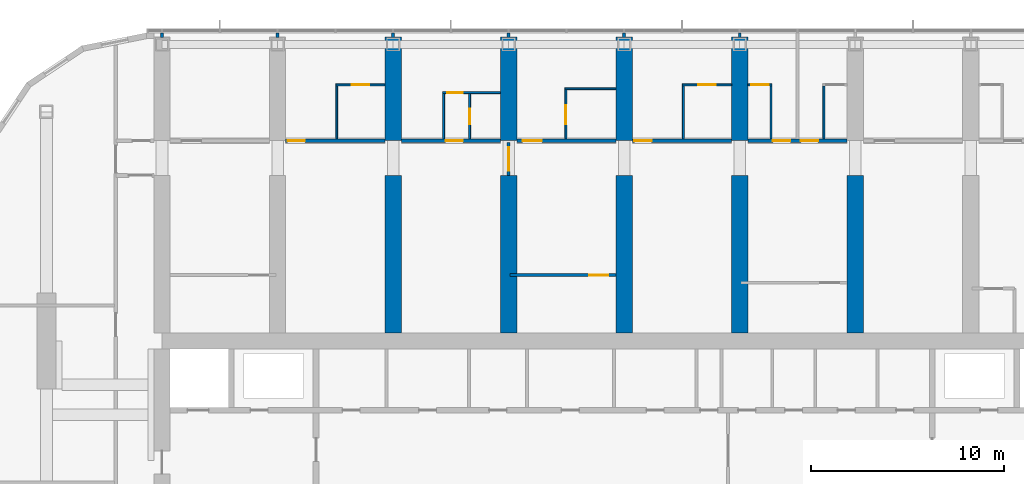
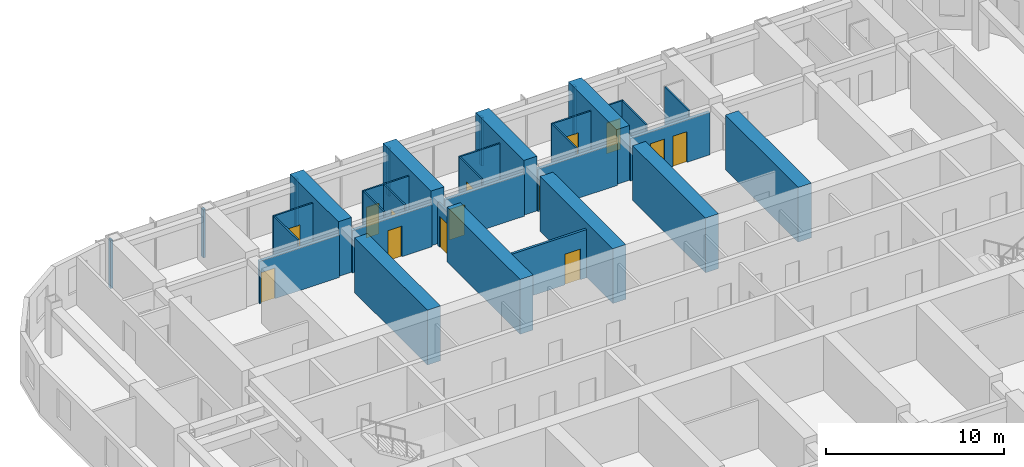
# One storey, part 16 of 23: 34 walls, 14 doors, 14 openings.
"""IFC4 building model written with IfcOpenShell, lengths in metres."""

from ifc_helpers import new_model, si_unit, direction, frame, frame_2d, origin, place, context, subcontext, project, spatial, polyline, rectangle, outline, extrude, material, layer, layer_set, type_object, element, fill, save


model = new_model("IFC4")

# Units and contexts
model_context = context("Model", 3, precision=1e-05, world=origin(), true_north=direction((0.0, 1.0)))
body_context = subcontext(model_context, "Body", "Model", "MODEL_VIEW")
ifc_project = project(units=[si_unit("LENGTHUNIT", "METRE"), si_unit("AREAUNIT", "SQUARE_METRE"), si_unit("VOLUMEUNIT", "CUBIC_METRE"), si_unit("PLANEANGLEUNIT", "RADIAN"), si_unit("MASSUNIT", "GRAM", prefix="KILO")], contexts=[model_context])

# Site, building, storey
site_placement = place(None, origin())
site = spatial("IfcSite", under=ifc_project, at=site_placement, CompositionType="ELEMENT")
building_placement = place(site_placement, origin())
building = spatial("IfcBuilding", under=site, at=building_placement, Name="Orbita Commons", CompositionType="ELEMENT")
storey_placement = place(building_placement, frame((0.0, 0.0, 174.85009765625)))
storey = spatial("IfcBuildingStorey", under=building, at=storey_placement, Name="L43", CompositionType="ELEMENT", Elevation=174.85009765625)

# Wall, opening, door
ifc_material_1 = material(Name="Concrete blockwork", Category="masonry")
ifc_layer_1 = layer(ifc_material_1, 0.199951171875)
ifc_layer_set_1 = layer_set([ifc_layer_1], Name="Concrete blockwork")
wall_type_1 = type_object("IfcWallType", Name="Corridor wall 200 blockwork", PredefinedType="SOLIDWALL", material=ifc_layer_set_1)
wall_1_placement = place(storey_placement, frame((24.425048828125, 48.60009765625, 0.0), z_axis=(0.0, 0.0, 1.0), x_axis=(1.0, 0.0, 0.0)))
wall_1 = element("IfcWall", 1, at=wall_1_placement, inside=storey, type_object=wall_type_1, Name="Corridor wall 200 blockwork L43", PredefinedType="SOLIDWALL", context=body_context, shape_type="SweptSolid", body=[
    extrude(outline(polyline([(0.0, 0.0), (5.14990234375, 0.0), (5.14990234375, 2.89990234375), (0.0, 2.89990234375), (0.0, 0.0)])), frame((0.0, 0.10009765625, 0.0), z_axis=(0.0, -1.0, 0.0), x_axis=(1.0, 0.0, 0.0)), (0.0, 0.0, 1.0), 0.199951171875),
])
opening_1_placement = place(wall_1_placement, frame((0.10009765625, 0.0, 0.0)))
opening_1 = element("IfcOpeningElement", 2, at=opening_1_placement, cuts=wall_1, Name="Opening D11", PredefinedType="OPENING", context=body_context, shape_type="SweptSolid", body=[
    extrude(rectangle(XDim=0.89990234375, YDim=2.10009765625, at=frame_2d((0.449951171875, 1.050048828125))), frame((0.0, 0.10986328125, 0.0), z_axis=(0.0, -1.0, 0.0), x_axis=(1.0, 0.0, 0.0)), (0.0, 0.0, 1.0), 0.219970703125),
])
ifc_material_2 = material(Name="Steel-faced fire door leaf", Category="steel")
door_type_1 = type_object("IfcDoorType", Name="Corridor door 20 min 900x2100", OperationType="SINGLE_SWING_LEFT", PredefinedType="DOOR", material=ifc_material_2)
door_1_placement = place(opening_1_placement, origin())
door_1 = element("IfcDoor", 3, at=door_1_placement, inside=storey, type_object=door_type_1, Name="Twin room L43-N02 door", OperationType="SINGLE_SWING_LEFT", OverallHeight=2.10009765625, OverallWidth=0.89990234375, PredefinedType="DOOR", context=body_context, shape_type="SweptSolid", body=[
    extrude(rectangle(XDim=0.89990234375, YDim=2.10009765625, at=frame_2d((0.449951171875, 1.050048828125))), frame((0.0, 0.02490234375, 0.0), z_axis=(0.0, -1.0, 0.0), x_axis=(1.0, 0.0, 0.0)), (0.0, 0.0, 1.0), 0.050048828125),
])
fill(opening_1, door_1)

wall_2_placement = place(storey_placement, frame((30.425048828125, 48.60009765625, 0.0), z_axis=(0.0, 0.0, 1.0), x_axis=(1.0, 0.0, 0.0)))
wall_2 = element("IfcWall", 4, at=wall_2_placement, inside=storey, type_object=wall_type_1, Name="Corridor wall 200 blockwork L43", PredefinedType="SOLIDWALL", context=body_context, shape_type="SweptSolid", body=[
    extrude(outline(polyline([(0.0, 0.0), (5.14990234375, 0.0), (5.14990234375, 2.89990234375), (0.0, 2.89990234375), (0.0, 0.0)])), frame((0.0, 0.10009765625, 0.0), z_axis=(0.0, -1.0, 0.0), x_axis=(1.0, 0.0, 0.0)), (0.0, 0.0, 1.0), 0.199951171875),
])
opening_2_placement = place(wall_2_placement, frame((2.300048828125, 0.0, 0.0)))
opening_2 = element("IfcOpeningElement", 5, at=opening_2_placement, cuts=wall_2, Name="Opening D11", PredefinedType="OPENING", context=body_context, shape_type="SweptSolid", body=[
    extrude(rectangle(XDim=0.89990234375, YDim=2.10009765625, at=frame_2d((0.449951171875, 1.050048828125))), frame((0.0, 0.10986328125, 0.0), z_axis=(0.0, -1.0, 0.0), x_axis=(1.0, 0.0, 0.0)), (0.0, 0.0, 1.0), 0.219970703125),
])
door_2_placement = place(opening_2_placement, origin())
door_2 = element("IfcDoor", 6, at=door_2_placement, inside=storey, type_object=door_type_1, Name="Studio flat L43-N04 entrance door", OperationType="SINGLE_SWING_LEFT", OverallHeight=2.10009765625, OverallWidth=0.89990234375, PredefinedType="DOOR", context=body_context, shape_type="SweptSolid", body=[
    extrude(rectangle(XDim=0.89990234375, YDim=2.10009765625, at=frame_2d((0.449951171875, 1.050048828125))), frame((0.0, 0.02490234375, 0.0), z_axis=(0.0, -1.0, 0.0), x_axis=(1.0, 0.0, 0.0)), (0.0, 0.0, 1.0), 0.050048828125),
])
fill(opening_2, door_2)

wall_3_placement = place(storey_placement, frame((36.425048828125, 48.60009765625, 0.0), z_axis=(0.0, 0.0, 1.0), x_axis=(1.0, 0.0, 0.0)))
wall_3 = element("IfcWall", 7, at=wall_3_placement, inside=storey, type_object=wall_type_1, Name="Corridor wall 200 blockwork L43", PredefinedType="SOLIDWALL", context=body_context, shape_type="SweptSolid", body=[
    extrude(outline(polyline([(0.0, 0.0), (5.14990234375, 0.0), (5.14990234375, 2.89990234375), (0.0, 2.89990234375), (0.0, 0.0)])), frame((0.0, 0.10009765625, 0.0), z_axis=(0.0, -1.0, 0.0), x_axis=(1.0, 0.0, 0.0)), (0.0, 0.0, 1.0), 0.199951171875),
])
opening_3_placement = place(wall_3_placement, frame((0.300048828125, 0.0, 0.0)))
opening_3 = element("IfcOpeningElement", 8, at=opening_3_placement, cuts=wall_3, Name="Opening D06", PredefinedType="OPENING", context=body_context, shape_type="SweptSolid", body=[
    extrude(rectangle(XDim=1.0, YDim=2.10009765625, at=frame_2d((0.5, 1.050048828125))), frame((0.0, 0.10986328125, 0.0), z_axis=(0.0, -1.0, 0.0), x_axis=(1.0, 0.0, 0.0)), (0.0, 0.0, 1.0), 0.219970703125),
])
ifc_material_3 = material(Name="Steel-faced fire door leaf", Category="steel")
door_type_2 = type_object("IfcDoorType", Name="Corridor door 20 min 1000x2100", OperationType="SINGLE_SWING_LEFT", PredefinedType="DOOR", material=ifc_material_3)
door_3_placement = place(opening_3_placement, origin())
door_3 = element("IfcDoor", 9, at=door_3_placement, inside=storey, type_object=door_type_2, Name="Accessible bedroom L43-N06 door", OperationType="SINGLE_SWING_LEFT", OverallHeight=2.10009765625, OverallWidth=1.0, PredefinedType="DOOR", context=body_context, shape_type="SweptSolid", body=[
    extrude(rectangle(XDim=1.0, YDim=2.10009765625, at=frame_2d((0.5, 1.050048828125))), frame((0.0, 0.02490234375, 0.0), z_axis=(0.0, -1.0, 0.0), x_axis=(1.0, 0.0, 0.0)), (0.0, 0.0, 1.0), 0.050048828125),
])
fill(opening_3, door_3)

wall_4_placement = place(storey_placement, frame((42.425048828125, 48.60009765625, 0.0), z_axis=(0.0, 0.0, 1.0), x_axis=(1.0, 0.0, 0.0)))
wall_4 = element("IfcWall", 10, at=wall_4_placement, inside=storey, type_object=wall_type_1, Name="Corridor wall 200 blockwork L43", PredefinedType="SOLIDWALL", context=body_context, shape_type="SweptSolid", body=[
    extrude(outline(polyline([(0.0, 0.0), (5.14990234375, 0.0), (5.14990234375, 2.89990234375), (0.0, 2.89990234375), (0.0, 0.0)])), frame((0.0, 0.10009765625, 0.0), z_axis=(0.0, -1.0, 0.0), x_axis=(1.0, 0.0, 0.0)), (0.0, 0.0, 1.0), 0.199951171875),
])
opening_4_placement = place(wall_4_placement, frame((0.10009765625, 0.0, 0.0)))
opening_4 = element("IfcOpeningElement", 11, at=opening_4_placement, cuts=wall_4, Name="Opening D11", PredefinedType="OPENING", context=body_context, shape_type="SweptSolid", body=[
    extrude(rectangle(XDim=0.89990234375, YDim=2.10009765625, at=frame_2d((0.449951171875, 1.050048828125))), frame((0.0, 0.10986328125, 0.0), z_axis=(0.0, -1.0, 0.0), x_axis=(1.0, 0.0, 0.0)), (0.0, 0.0, 1.0), 0.219970703125),
])
door_4_placement = place(opening_4_placement, origin())
door_4 = element("IfcDoor", 12, at=door_4_placement, inside=storey, type_object=door_type_1, Name="Twin room L43-N08 door", OperationType="SINGLE_SWING_LEFT", OverallHeight=2.10009765625, OverallWidth=0.89990234375, PredefinedType="DOOR", context=body_context, shape_type="SweptSolid", body=[
    extrude(rectangle(XDim=0.89990234375, YDim=2.10009765625, at=frame_2d((0.449951171875, 1.050048828125))), frame((0.0, 0.02490234375, 0.0), z_axis=(0.0, -1.0, 0.0), x_axis=(1.0, 0.0, 0.0)), (0.0, 0.0, 1.0), 0.050048828125),
])
fill(opening_4, door_4)

# Wall, openings, doors
wall_5_placement = place(storey_placement, frame((48.425048828125, 48.60009765625, 0.0), z_axis=(0.0, 0.0, 1.0), x_axis=(1.0, 0.0, 0.0)))
wall_5 = element("IfcWall", 13, at=wall_5_placement, inside=storey, type_object=wall_type_1, Name="Corridor wall 200 blockwork L43", PredefinedType="SOLIDWALL", context=body_context, shape_type="SweptSolid", body=[
    extrude(outline(polyline([(0.0, 0.0), (5.14990234375, 0.0), (5.14990234375, 2.89990234375), (0.0, 2.89990234375), (0.0, 0.0)])), frame((0.0, 0.10009765625, 0.0), z_axis=(0.0, -1.0, 0.0), x_axis=(1.0, 0.0, 0.0)), (0.0, 0.0, 1.0), 0.199951171875),
])
opening_5_placement = place(wall_5_placement, frame((1.300048828125, 0.0, 0.0)))
opening_5 = element("IfcOpeningElement", 14, at=opening_5_placement, cuts=wall_5, Name="Opening D11", PredefinedType="OPENING", context=body_context, shape_type="SweptSolid", body=[
    extrude(rectangle(XDim=0.89990234375, YDim=2.10009765625, at=frame_2d((0.449951171875, 1.050048828125))), frame((0.0, 0.10986328125, 0.0), z_axis=(0.0, -1.0, 0.0), x_axis=(1.0, 0.0, 0.0)), (0.0, 0.0, 1.0), 0.219970703125),
])
opening_6_placement = place(wall_5_placement, frame((2.75, 0.0, 0.0)))
opening_6 = element("IfcOpeningElement", 15, at=opening_6_placement, cuts=wall_5, Name="Opening D11", PredefinedType="OPENING", context=body_context, shape_type="SweptSolid", body=[
    extrude(rectangle(XDim=0.89990234375, YDim=2.10009765625, at=frame_2d((0.449951171875, 1.050048828125))), frame((0.0, 0.10986328125, 0.0), z_axis=(0.0, -1.0, 0.0), x_axis=(1.0, 0.0, 0.0)), (0.0, 0.0, 1.0), 0.219970703125),
])
door_5_placement = place(opening_5_placement, origin())
door_5 = element("IfcDoor", 16, at=door_5_placement, inside=storey, type_object=door_type_1, Name="Cluster bedroom L43-N10 door", OperationType="SINGLE_SWING_LEFT", OverallHeight=2.10009765625, OverallWidth=0.89990234375, PredefinedType="DOOR", context=body_context, shape_type="SweptSolid", body=[
    extrude(rectangle(XDim=0.89990234375, YDim=2.10009765625, at=frame_2d((0.449951171875, 1.050048828125))), frame((0.0, 0.02490234375, 0.0), z_axis=(0.0, -1.0, 0.0), x_axis=(1.0, 0.0, 0.0)), (0.0, 0.0, 1.0), 0.050048828125),
])
fill(opening_5, door_5)
door_6_placement = place(opening_6_placement, origin())
door_6 = element("IfcDoor", 17, at=door_6_placement, inside=storey, type_object=door_type_1, Name="Cluster bedroom L43-N11 door", OperationType="SINGLE_SWING_LEFT", OverallHeight=2.10009765625, OverallWidth=0.89990234375, PredefinedType="DOOR", context=body_context, shape_type="SweptSolid", body=[
    extrude(rectangle(XDim=0.89990234375, YDim=2.10009765625, at=frame_2d((0.449951171875, 1.050048828125))), frame((0.0, 0.02490234375, 0.0), z_axis=(0.0, -1.0, 0.0), x_axis=(1.0, 0.0, 0.0)), (0.0, 0.0, 1.0), 0.050048828125),
])
fill(opening_6, door_6)

# Walls
ifc_material_4 = material(Name="Concrete C50/60", Category="concrete")
ifc_layer_2 = layer(ifc_material_4, 0.85009765625)
ifc_layer_set_2 = layer_set([ifc_layer_2], Name="Concrete C50/60")
wall_type_2 = type_object("IfcWallType", Name="Cross wall 850 C50/60", PredefinedType="SHEAR", material=ifc_layer_set_2)
wall_6_placement = place(storey_placement, frame((30.0, 48.60009765625, 0.0), z_axis=(0.0, 0.0, 1.0), x_axis=(0.0, 1.0, 0.0)))
element("IfcWall", 18, at=wall_6_placement, inside=storey, type_object=wall_type_2, Name="Cross wall 6 north outer L43", PredefinedType="SHEAR", context=body_context, shape_type="SweptSolid", body=[
    extrude(rectangle(XDim=5.39990234375, YDim=0.85009765625, at=frame_2d((2.699951171875, 0.0))), origin(), (0.0, 0.0, 1.0), 3.75),
])
wall_7_placement = place(storey_placement, frame((30.0, 38.625, 0.0), z_axis=(0.0, 0.0, 1.0), x_axis=(0.0, 1.0, 0.0)))
element("IfcWall", 19, at=wall_7_placement, inside=storey, type_object=wall_type_2, Name="Cross wall 6 north inner L43", PredefinedType="SHEAR", context=body_context, shape_type="SweptSolid", body=[
    extrude(rectangle(XDim=8.175048828125, YDim=0.85009765625, at=frame_2d((4.08740234375, 0.0))), origin(), (0.0, 0.0, 1.0), 3.75),
])
wall_8_placement = place(storey_placement, frame((36.0, 48.60009765625, 0.0), z_axis=(0.0, 0.0, 1.0), x_axis=(0.0, 1.0, 0.0)))
element("IfcWall", 20, at=wall_8_placement, inside=storey, type_object=wall_type_2, Name="Cross wall 7 north outer L43", PredefinedType="SHEAR", context=body_context, shape_type="SweptSolid", body=[
    extrude(rectangle(XDim=5.39990234375, YDim=0.85009765625, at=frame_2d((2.699951171875, 0.0))), origin(), (0.0, 0.0, 1.0), 3.75),
])
wall_9_placement = place(storey_placement, frame((36.0, 38.625, 0.0), z_axis=(0.0, 0.0, 1.0), x_axis=(0.0, 1.0, 0.0)))
element("IfcWall", 21, at=wall_9_placement, inside=storey, type_object=wall_type_2, Name="Cross wall 7 north inner L43", PredefinedType="SHEAR", context=body_context, shape_type="SweptSolid", body=[
    extrude(rectangle(XDim=8.175048828125, YDim=0.85009765625, at=frame_2d((4.08740234375, 0.0))), origin(), (0.0, 0.0, 1.0), 3.75),
])
wall_10_placement = place(storey_placement, frame((42.0, 48.60009765625, 0.0), z_axis=(0.0, 0.0, 1.0), x_axis=(0.0, 1.0, 0.0)))
element("IfcWall", 22, at=wall_10_placement, inside=storey, type_object=wall_type_2, Name="Cross wall 8 north outer L43", PredefinedType="SHEAR", context=body_context, shape_type="SweptSolid", body=[
    extrude(rectangle(XDim=5.39990234375, YDim=0.85009765625, at=frame_2d((2.699951171875, 0.0))), origin(), (0.0, 0.0, 1.0), 3.75),
])
wall_11_placement = place(storey_placement, frame((42.0, 38.625, 0.0), z_axis=(0.0, 0.0, 1.0), x_axis=(0.0, 1.0, 0.0)))
element("IfcWall", 23, at=wall_11_placement, inside=storey, type_object=wall_type_2, Name="Cross wall 8 north inner L43", PredefinedType="SHEAR", context=body_context, shape_type="SweptSolid", body=[
    extrude(rectangle(XDim=8.175048828125, YDim=0.85009765625, at=frame_2d((4.08740234375, 0.0))), origin(), (0.0, 0.0, 1.0), 3.75),
])
wall_12_placement = place(storey_placement, frame((48.0, 48.60009765625, 0.0), z_axis=(0.0, 0.0, 1.0), x_axis=(0.0, 1.0, 0.0)))
element("IfcWall", 24, at=wall_12_placement, inside=storey, type_object=wall_type_2, Name="Cross wall 9 north outer L43", PredefinedType="SHEAR", context=body_context, shape_type="SweptSolid", body=[
    extrude(rectangle(XDim=5.39990234375, YDim=0.85009765625, at=frame_2d((2.699951171875, 0.0))), origin(), (0.0, 0.0, 1.0), 3.75),
])
for number, where, z_axis, x_axis, name in (
    (25, (48.0, 38.625, 0.0), (0.0, 0.0, 1.0), (0.0, 1.0, 0.0), "Cross wall 9 north inner L43"),
    (26, (54.0, 38.625, 0.0), (0.0, 0.0, 1.0), (0.0, 1.0, 0.0), "Cross wall 10 north inner L43"),
):
    element("IfcWall", number, at=place(storey_placement, frame(where, z_axis=z_axis, x_axis=x_axis)), inside=storey, type_object=wall_type_2, Name=name, PredefinedType="SHEAR", context=body_context, shape_type="SweptSolid", body=[
        extrude(rectangle(XDim=8.175048828125, YDim=0.85009765625, at=frame_2d((4.08740234375, 0.0))), origin(), (0.0, 0.0, 1.0), 3.75),
    ])

# Wall, opening, door
ifc_material_5 = material(Name="Moisture-resistant plasterboard on steel studs", Category="steel")
ifc_layer_3 = layer(ifc_material_5, 0.10009765625)
ifc_layer_set_3 = layer_set([ifc_layer_3], Name="Moisture-resistant plasterboard on steel studs")
wall_type_3 = type_object("IfcWallType", Name="En-suite partition 100", PredefinedType="PARTITIONING", material=ifc_layer_set_3)
wall_13_placement = place(storey_placement, frame((27.02490234375, 51.5, 0.0), z_axis=(0.0, 0.0, 1.0), x_axis=(1.0, 0.0, 0.0)))
wall_13 = element("IfcWall", 27, at=wall_13_placement, inside=storey, type_object=wall_type_3, Name="En-suite partition 100 L43", PredefinedType="PARTITIONING", context=body_context, shape_type="SweptSolid", body=[
    extrude(rectangle(XDim=2.550048828125, YDim=0.10009765625, at=frame_2d((1.27490234375, 0.0))), origin(), (0.0, 0.0, 1.0), 3.2998046875),
])
opening_7_placement = place(wall_13_placement, frame((0.824951171875, 0.0, 0.0)))
opening_7 = element("IfcOpeningElement", 28, at=opening_7_placement, cuts=wall_13, Name="Opening D09", PredefinedType="OPENING", context=body_context, shape_type="SweptSolid", body=[
    extrude(rectangle(XDim=0.89990234375, YDim=2.10009765625, at=frame_2d((0.449951171875, 1.050048828125))), frame((0.0, 0.06005859375, 0.0), z_axis=(0.0, -1.0, 0.0), x_axis=(1.0, 0.0, 0.0)), (0.0, 0.0, 1.0), 0.1201171875),
])
ifc_material_6 = material(Name="Laminated timber door leaf", Category="wood")
door_type_3 = type_object("IfcDoorType", Name="En-suite door 900x2100", OperationType="SINGLE_SWING_RIGHT", PredefinedType="DOOR", material=ifc_material_6)
door_7_placement = place(opening_7_placement, origin())
door_7 = element("IfcDoor", 29, at=door_7_placement, inside=storey, type_object=door_type_3, Name="En-suite L43-N02 door", OperationType="SINGLE_SWING_RIGHT", OverallHeight=2.10009765625, OverallWidth=0.89990234375, PredefinedType="DOOR", context=body_context, shape_type="SweptSolid", body=[
    extrude(rectangle(XDim=0.89990234375, YDim=2.10009765625, at=frame_2d((0.449951171875, 1.050048828125))), frame((0.0, 0.02490234375, 0.0), z_axis=(0.0, -1.0, 0.0), x_axis=(1.0, 0.0, 0.0)), (0.0, 0.0, 1.0), 0.050048828125),
])
fill(opening_7, door_7)

# Wall
wall_14_placement = place(storey_placement, frame((27.074951171875, 51.449951171875, 0.0), z_axis=(0.0, 0.0, 1.0), x_axis=(0.0, -1.0, 0.0)))
element("IfcWall", 30, at=wall_14_placement, inside=storey, type_object=wall_type_3, Name="En-suite partition 100 L43", PredefinedType="PARTITIONING", context=body_context, shape_type="SweptSolid", body=[
    extrude(outline(polyline([(0.0, 0.0), (2.75, 0.0), (2.75, 2.89990234375), (2.701904296875, 2.89990234375), (2.699951171875, 3.2998046875), (0.0, 3.2998046875), (0.0, 0.0)])), frame((0.0, 0.050048828125, 0.0), z_axis=(0.0, -1.0, 0.0), x_axis=(1.0, 0.0, 0.0)), (0.0, 0.0, 1.0), 0.10009765625),
])

# Wall, opening, door
wall_15_placement = place(storey_placement, frame((32.574951171875, 51.10009765625, 0.0), z_axis=(0.0, 0.0, 1.0), x_axis=(1.0, 0.0, 0.0)))
wall_15 = element("IfcWall", 31, at=wall_15_placement, inside=storey, type_object=wall_type_3, Name="En-suite partition 100 L43", PredefinedType="PARTITIONING", context=body_context, shape_type="SweptSolid", body=[
    extrude(rectangle(XDim=3.0, YDim=0.10009765625, at=frame_2d((1.5, 0.0))), origin(), (0.0, 0.0, 1.0), 3.2998046875),
])
opening_8_placement = place(wall_15_placement, frame((0.25, 0.0, 0.0)))
opening_8 = element("IfcOpeningElement", 32, at=opening_8_placement, cuts=wall_15, Name="Opening D16", PredefinedType="OPENING", context=body_context, shape_type="SweptSolid", body=[
    extrude(rectangle(XDim=0.800048828125, YDim=2.10009765625, at=frame_2d((0.39990234375, 1.050048828125))), frame((0.0, 0.06005859375, 0.0), z_axis=(0.0, -1.0, 0.0), x_axis=(1.0, 0.0, 0.0)), (0.0, 0.0, 1.0), 0.1201171875),
])
ifc_material_7 = material(Name="Laminated timber door leaf", Category="wood")
door_type_4 = type_object("IfcDoorType", Name="En-suite door 800x2100", OperationType="SINGLE_SWING_RIGHT", PredefinedType="DOOR", material=ifc_material_7)
door_8_placement = place(opening_8_placement, origin())
door_8 = element("IfcDoor", 33, at=door_8_placement, inside=storey, type_object=door_type_4, Name="Studio flat L43-N04 door", OperationType="SINGLE_SWING_RIGHT", OverallHeight=2.10009765625, OverallWidth=0.800048828125, PredefinedType="DOOR", context=body_context, shape_type="SweptSolid", body=[
    extrude(rectangle(XDim=0.800048828125, YDim=2.10009765625, at=frame_2d((0.39990234375, 1.050048828125))), frame((0.0, 0.02490234375, 0.0), z_axis=(0.0, -1.0, 0.0), x_axis=(1.0, 0.0, 0.0)), (0.0, 0.0, 1.0), 0.050048828125),
])
fill(opening_8, door_8)

# Wall
wall_16_placement = place(storey_placement, frame((32.625, 51.050048828125, 0.0), z_axis=(0.0, 0.0, 1.0), x_axis=(0.0, -1.0, 0.0)))
element("IfcWall", 34, at=wall_16_placement, inside=storey, type_object=wall_type_3, Name="En-suite partition 100 L43", PredefinedType="PARTITIONING", context=body_context, shape_type="SweptSolid", body=[
    extrude(outline(polyline([(0.0, 0.0), (2.35009765625, 0.0), (2.35009765625, 2.89990234375), (2.302001953125, 2.89990234375), (2.300048828125, 3.2998046875), (0.0, 3.2998046875), (0.0, 0.0)])), frame((0.0, 0.050048828125, 0.0), z_axis=(0.0, -1.0, 0.0), x_axis=(1.0, 0.0, 0.0)), (0.0, 0.0, 1.0), 0.10009765625),
])

# Wall, opening, door
wall_17_placement = place(storey_placement, frame((33.97509765625, 51.050048828125, 0.0), z_axis=(0.0, 0.0, 1.0), x_axis=(0.0, -1.0, 0.0)))
wall_17 = element("IfcWall", 35, at=wall_17_placement, inside=storey, type_object=wall_type_3, Name="En-suite partition 100 L43", PredefinedType="PARTITIONING", context=body_context, shape_type="SweptSolid", body=[
    extrude(outline(polyline([(0.0, 0.0), (2.35009765625, 0.0), (2.35009765625, 2.89990234375), (2.302001953125, 2.89990234375), (2.300048828125, 3.2998046875), (0.0, 3.2998046875), (0.0, 0.0)])), frame((0.0, 0.050048828125, 0.0), z_axis=(0.0, -1.0, 0.0), x_axis=(1.0, 0.0, 0.0)), (0.0, 0.0, 1.0), 0.10009765625),
])
opening_9_placement = place(wall_17_placement, frame((0.800048828125, 0.0, 0.0)))
opening_9 = element("IfcOpeningElement", 36, at=opening_9_placement, cuts=wall_17, Name="Opening D16", PredefinedType="OPENING", context=body_context, shape_type="SweptSolid", body=[
    extrude(rectangle(XDim=0.800048828125, YDim=2.10009765625, at=frame_2d((0.39990234375, 1.050048828125))), frame((0.0, 0.06005859375, 0.0), z_axis=(0.0, -1.0, 0.0), x_axis=(1.0, 0.0, 0.0)), (0.0, 0.0, 1.0), 0.1201171875),
])
door_9_placement = place(opening_9_placement, origin())
door_9 = element("IfcDoor", 37, at=door_9_placement, inside=storey, type_object=door_type_4, Name="Studio flat shower room L43-N04 door", OperationType="SINGLE_SWING_RIGHT", OverallHeight=2.10009765625, OverallWidth=0.800048828125, PredefinedType="DOOR", context=body_context, shape_type="SweptSolid", body=[
    extrude(rectangle(XDim=0.800048828125, YDim=2.10009765625, at=frame_2d((0.39990234375, 1.050048828125))), frame((0.0, 0.02490234375, 0.0), z_axis=(0.0, -1.0, 0.0), x_axis=(1.0, 0.0, 0.0)), (0.0, 0.0, 1.0), 0.050048828125),
])
fill(opening_9, door_9)

# Wall
wall_18_placement = place(storey_placement, frame((38.925048828125, 51.300048828125, 0.0), z_axis=(0.0, 0.0, 1.0), x_axis=(1.0, 0.0, 0.0)))
element("IfcWall", 38, at=wall_18_placement, inside=storey, type_object=wall_type_3, Name="En-suite partition 100 L43", PredefinedType="PARTITIONING", context=body_context, shape_type="SweptSolid", body=[
    extrude(rectangle(XDim=2.64990234375, YDim=0.10009765625, at=frame_2d((1.324951171875, 0.0))), origin(), (0.0, 0.0, 1.0), 3.2998046875),
])

# Wall, opening, door
wall_19_placement = place(storey_placement, frame((38.97509765625, 51.25, 0.0), z_axis=(0.0, 0.0, 1.0), x_axis=(0.0, -1.0, 0.0)))
wall_19 = element("IfcWall", 39, at=wall_19_placement, inside=storey, type_object=wall_type_3, Name="En-suite partition 100 L43", PredefinedType="PARTITIONING", context=body_context, shape_type="SweptSolid", body=[
    extrude(outline(polyline([(0.0, 0.0), (2.550048828125, 0.0), (2.550048828125, 2.89990234375), (2.501953125, 2.89990234375), (2.5, 3.2998046875), (0.0, 3.2998046875), (0.0, 0.0)])), frame((0.0, 0.050048828125, 0.0), z_axis=(0.0, -1.0, 0.0), x_axis=(1.0, 0.0, 0.0)), (0.0, 0.0, 1.0), 0.10009765625),
])
opening_10_placement = place(wall_19_placement, frame((0.800048828125, 0.0, 0.0)))
opening_10 = element("IfcOpeningElement", 40, at=opening_10_placement, cuts=wall_19, Name="Opening D13", PredefinedType="OPENING", context=body_context, shape_type="SweptSolid", body=[
    extrude(rectangle(XDim=1.0, YDim=2.10009765625, at=frame_2d((0.5, 1.050048828125))), frame((0.0, 0.06005859375, 0.0), z_axis=(0.0, -1.0, 0.0), x_axis=(1.0, 0.0, 0.0)), (0.0, 0.0, 1.0), 0.1201171875),
])
ifc_material_8 = material(Name="Laminated timber door leaf", Category="wood")
door_type_5 = type_object("IfcDoorType", Name="En-suite door 1000x2100", OperationType="SINGLE_SWING_RIGHT", PredefinedType="DOOR", material=ifc_material_8)
door_10_placement = place(opening_10_placement, origin())
door_10 = element("IfcDoor", 41, at=door_10_placement, inside=storey, type_object=door_type_5, Name="Accessible shower room L43-N06 door", OperationType="SINGLE_SWING_RIGHT", OverallHeight=2.10009765625, OverallWidth=1.0, PredefinedType="DOOR", context=body_context, shape_type="SweptSolid", body=[
    extrude(rectangle(XDim=1.0, YDim=2.10009765625, at=frame_2d((0.5, 1.050048828125))), frame((0.0, 0.02490234375, 0.0), z_axis=(0.0, -1.0, 0.0), x_axis=(1.0, 0.0, 0.0)), (0.0, 0.0, 1.0), 0.050048828125),
])
fill(opening_10, door_10)

wall_20_placement = place(storey_placement, frame((45.02490234375, 51.5, 0.0), z_axis=(0.0, 0.0, 1.0), x_axis=(1.0, 0.0, 0.0)))
wall_20 = element("IfcWall", 42, at=wall_20_placement, inside=storey, type_object=wall_type_3, Name="En-suite partition 100 L43", PredefinedType="PARTITIONING", context=body_context, shape_type="SweptSolid", body=[
    extrude(rectangle(XDim=2.550048828125, YDim=0.10009765625, at=frame_2d((1.27490234375, 0.0))), origin(), (0.0, 0.0, 1.0), 3.2998046875),
])
opening_11_placement = place(wall_20_placement, frame((0.824951171875, 0.0, 0.0)))
opening_11 = element("IfcOpeningElement", 43, at=opening_11_placement, cuts=wall_20, Name="Opening D09", PredefinedType="OPENING", context=body_context, shape_type="SweptSolid", body=[
    extrude(rectangle(XDim=0.89990234375, YDim=2.10009765625, at=frame_2d((0.449951171875, 1.050048828125))), frame((0.0, 0.06005859375, 0.0), z_axis=(0.0, -1.0, 0.0), x_axis=(1.0, 0.0, 0.0)), (0.0, 0.0, 1.0), 0.1201171875),
])
door_11_placement = place(opening_11_placement, origin())
door_11 = element("IfcDoor", 44, at=door_11_placement, inside=storey, type_object=door_type_3, Name="En-suite L43-N08 door", OperationType="SINGLE_SWING_RIGHT", OverallHeight=2.10009765625, OverallWidth=0.89990234375, PredefinedType="DOOR", context=body_context, shape_type="SweptSolid", body=[
    extrude(rectangle(XDim=0.89990234375, YDim=2.10009765625, at=frame_2d((0.449951171875, 1.050048828125))), frame((0.0, 0.02490234375, 0.0), z_axis=(0.0, -1.0, 0.0), x_axis=(1.0, 0.0, 0.0)), (0.0, 0.0, 1.0), 0.050048828125),
])
fill(opening_11, door_11)

# Wall
wall_21_placement = place(storey_placement, frame((45.074951171875, 51.449951171875, 0.0), z_axis=(0.0, 0.0, 1.0), x_axis=(0.0, -1.0, 0.0)))
element("IfcWall", 45, at=wall_21_placement, inside=storey, type_object=wall_type_3, Name="En-suite partition 100 L43", PredefinedType="PARTITIONING", context=body_context, shape_type="SweptSolid", body=[
    extrude(outline(polyline([(0.0, 0.0), (2.75, 0.0), (2.75, 2.89990234375), (2.701904296875, 2.89990234375), (2.699951171875, 3.2998046875), (0.0, 3.2998046875), (0.0, 0.0)])), frame((0.0, 0.050048828125, 0.0), z_axis=(0.0, -1.0, 0.0), x_axis=(1.0, 0.0, 0.0)), (0.0, 0.0, 1.0), 0.10009765625),
])

# Wall, opening, door
wall_22_placement = place(storey_placement, frame((48.425048828125, 51.5, 0.0), z_axis=(0.0, 0.0, 1.0), x_axis=(1.0, 0.0, 0.0)))
wall_22 = element("IfcWall", 46, at=wall_22_placement, inside=storey, type_object=wall_type_3, Name="En-suite partition 100 L43", PredefinedType="PARTITIONING", context=body_context, shape_type="SweptSolid", body=[
    extrude(rectangle(XDim=1.25, YDim=0.10009765625, at=frame_2d((0.625, 0.0))), origin(), (0.0, 0.0, 1.0), 3.2998046875),
])
opening_12_placement = place(wall_22_placement, frame((0.175048828125, 0.0, 0.0)))
opening_12 = element("IfcOpeningElement", 47, at=opening_12_placement, cuts=wall_22, Name="Opening D09", PredefinedType="OPENING", context=body_context, shape_type="SweptSolid", body=[
    extrude(rectangle(XDim=0.89990234375, YDim=2.10009765625, at=frame_2d((0.449951171875, 1.050048828125))), frame((0.0, 0.06005859375, 0.0), z_axis=(0.0, -1.0, 0.0), x_axis=(1.0, 0.0, 0.0)), (0.0, 0.0, 1.0), 0.1201171875),
])
door_12_placement = place(opening_12_placement, origin())
door_12 = element("IfcDoor", 48, at=door_12_placement, inside=storey, type_object=door_type_3, Name="En-suite L43-N10 door", OperationType="SINGLE_SWING_RIGHT", OverallHeight=2.10009765625, OverallWidth=0.89990234375, PredefinedType="DOOR", context=body_context, shape_type="SweptSolid", body=[
    extrude(rectangle(XDim=0.89990234375, YDim=2.10009765625, at=frame_2d((0.449951171875, 1.050048828125))), frame((0.0, 0.02490234375, 0.0), z_axis=(0.0, -1.0, 0.0), x_axis=(1.0, 0.0, 0.0)), (0.0, 0.0, 1.0), 0.050048828125),
])
fill(opening_12, door_12)

# Walls
for number, where, z_axis, x_axis, name in (
    (49, (49.625, 51.449951171875, 0.0), (0.0, 0.0, 1.0), (0.0, -1.0, 0.0), "En-suite partition 100 L43"),
    (50, (52.375, 51.449951171875, 0.0), (0.0, 0.0, 1.0), (0.0, -1.0, 0.0), "En-suite partition 100 L43"),
):
    element("IfcWall", number, at=place(storey_placement, frame(where, z_axis=z_axis, x_axis=x_axis)), inside=storey, type_object=wall_type_3, Name=name, PredefinedType="PARTITIONING", context=body_context, shape_type="SweptSolid", body=[
        extrude(outline(polyline([(0.0, 0.0), (2.75, 0.0), (2.75, 2.89990234375), (2.701904296875, 2.89990234375), (2.699951171875, 3.2998046875), (0.0, 3.2998046875), (0.0, 0.0)])), frame((0.0, 0.050048828125, 0.0), z_axis=(0.0, -1.0, 0.0), x_axis=(1.0, 0.0, 0.0)), (0.0, 0.0, 1.0), 0.10009765625),
    ])

# Wall, opening, door
ifc_material_9 = material(Name="Gypsum plasterboard on steel studs", Category="steel")
ifc_layer_4 = layer(ifc_material_9, 0.14990234375)
ifc_layer_set_4 = layer_set([ifc_layer_4], Name="Gypsum plasterboard on steel studs")
wall_type_4 = type_object("IfcWallType", Name="Partition 150 plasterboard", PredefinedType="PARTITIONING", material=ifc_layer_set_4)
wall_23_placement = place(storey_placement, frame((41.574951171875, 41.625, 0.0), z_axis=(0.0, 0.0, 1.0), x_axis=(-1.0, 0.0, 0.0)))
wall_23 = element("IfcWall", 51, at=wall_23_placement, inside=storey, type_object=wall_type_4, Name="Partition 150 plasterboard L43", PredefinedType="PARTITIONING", context=body_context, shape_type="SweptSolid", body=[
    extrude(rectangle(XDim=5.5, YDim=0.14990234375, at=frame_2d((2.75, 0.0))), origin(), (0.0, 0.0, 1.0), 3.2998046875),
])
opening_13_placement = place(wall_23_placement, frame((0.39990234375, 0.0, 0.0)))
opening_13 = element("IfcOpeningElement", 52, at=opening_13_placement, cuts=wall_23, Name="Opening D17", PredefinedType="OPENING", context=body_context, shape_type="SweptSolid", body=[
    extrude(rectangle(XDim=1.0, YDim=2.10009765625, at=frame_2d((0.5, 1.050048828125))), frame((0.0, 0.0849609375, 0.0), z_axis=(0.0, -1.0, 0.0), x_axis=(1.0, 0.0, 0.0)), (0.0, 0.0, 1.0), 0.169921875),
])
ifc_material_10 = material(Name="Steel-faced fire door leaf", Category="steel")
door_type_6 = type_object("IfcDoorType", Name="Shaft access door 90 min 1000x2100", OperationType="SINGLE_SWING_LEFT", PredefinedType="DOOR", material=ifc_material_10)
door_13_placement = place(opening_13_placement, origin())
door_13 = element("IfcDoor", 53, at=door_13_placement, inside=storey, type_object=door_type_6, Name="Ventilation plant room north L43-BDN36 door", OperationType="SINGLE_SWING_LEFT", OverallHeight=2.10009765625, OverallWidth=1.0, PredefinedType="DOOR", context=body_context, shape_type="SweptSolid", body=[
    extrude(rectangle(XDim=1.0, YDim=2.10009765625, at=frame_2d((0.5, 1.050048828125))), frame((0.0, 0.02490234375, 0.0), z_axis=(0.0, -1.0, 0.0), x_axis=(1.0, 0.0, 0.0)), (0.0, 0.0, 1.0), 0.050048828125),
])
fill(opening_13, door_13)

wall_24_placement = place(storey_placement, frame((36.0, 46.800048828125, 0.0), z_axis=(0.0, 0.0, 1.0), x_axis=(0.0, 1.0, 0.0)))
wall_24 = element("IfcWall", 54, at=wall_24_placement, inside=storey, type_object=wall_type_4, Name="Partition 150 plasterboard L43", PredefinedType="PARTITIONING", context=body_context, shape_type="SweptSolid", body=[
    extrude(outline(polyline([(0.0, 0.0), (1.699951171875, 0.0), (1.699951171875, 2.89990234375), (0.0, 2.89990234375), (0.0, 0.0)])), frame((0.0, 0.074951171875, 0.0), z_axis=(0.0, -1.0, 0.0), x_axis=(1.0, 0.0, 0.0)), (0.0, 0.0, 1.0), 0.14990234375),
])
opening_14_placement = place(wall_24_placement, frame((0.25, 0.0, 0.0)))
opening_14 = element("IfcOpeningElement", 55, at=opening_14_placement, cuts=wall_24, Name="Opening D12", PredefinedType="OPENING", context=body_context, shape_type="SweptSolid", body=[
    extrude(rectangle(XDim=1.199951171875, YDim=2.10009765625, at=frame_2d((0.60009765625, 1.050048828125))), frame((0.0, 0.0849609375, 0.0), z_axis=(0.0, -1.0, 0.0), x_axis=(1.0, 0.0, 0.0)), (0.0, 0.0, 1.0), 0.169921875),
])
ifc_material_11 = material(Name="Steel-faced fire door leaf", Category="steel")
door_type_7 = type_object("IfcDoorType", Name="Double corridor door 20 min 1200x2100", OperationType="DOUBLE_DOOR_SINGLE_SWING", PredefinedType="DOOR", material=ifc_material_11)
door_14_placement = place(opening_14_placement, origin())
door_14 = element("IfcDoor", 56, at=door_14_placement, inside=storey, type_object=door_type_7, Name="Social spine north screen doors", OperationType="DOUBLE_DOOR_SINGLE_SWING", OverallHeight=2.10009765625, OverallWidth=1.199951171875, PredefinedType="DOOR", context=body_context, shape_type="SweptSolid", body=[
    extrude(rectangle(XDim=1.199951171875, YDim=2.10009765625, at=frame_2d((0.60009765625, 1.050048828125))), frame((0.0, 0.02490234375, 0.0), z_axis=(0.0, -1.0, 0.0), x_axis=(1.0, 0.0, 0.0)), (0.0, 0.0, 1.0), 0.050048828125),
])
fill(opening_14, door_14)

# Walls
for number, where, z_axis, x_axis, name in (
    (57, (18.0, 53.949951171875, 0.0), (0.0, 0.0, 1.0), (0.0, 1.0, 0.0), "Partition 150 plasterboard L43"),
    (58, (24.0, 53.949951171875, 0.0), (0.0, 0.0, 1.0), (0.0, 1.0, 0.0), "Partition 150 plasterboard L43"),
    (59, (30.0, 53.949951171875, 0.0), (0.0, 0.0, 1.0), (0.0, 1.0, 0.0), "Partition 150 plasterboard L43"),
    (60, (36.0, 53.949951171875, 0.0), (0.0, 0.0, 1.0), (0.0, 1.0, 0.0), "Partition 150 plasterboard L43"),
    (61, (42.0, 53.949951171875, 0.0), (0.0, 0.0, 1.0), (0.0, 1.0, 0.0), "Partition 150 plasterboard L43"),
    (62, (48.0, 53.949951171875, 0.0), (0.0, 0.0, 1.0), (0.0, 1.0, 0.0), "Partition 150 plasterboard L43"),
):
    element("IfcWall", number, at=place(storey_placement, frame(where, z_axis=z_axis, x_axis=x_axis)), inside=storey, type_object=wall_type_4, Name=name, PredefinedType="PARTITIONING", context=body_context, shape_type="SweptSolid", body=[
        extrude(rectangle(XDim=0.239990234375, YDim=0.14990234375, at=frame_2d((0.1201171875, 0.0))), origin(), (0.0, 0.0, 1.0), 3.2998046875),
    ])

save(model, "model.ifc")
